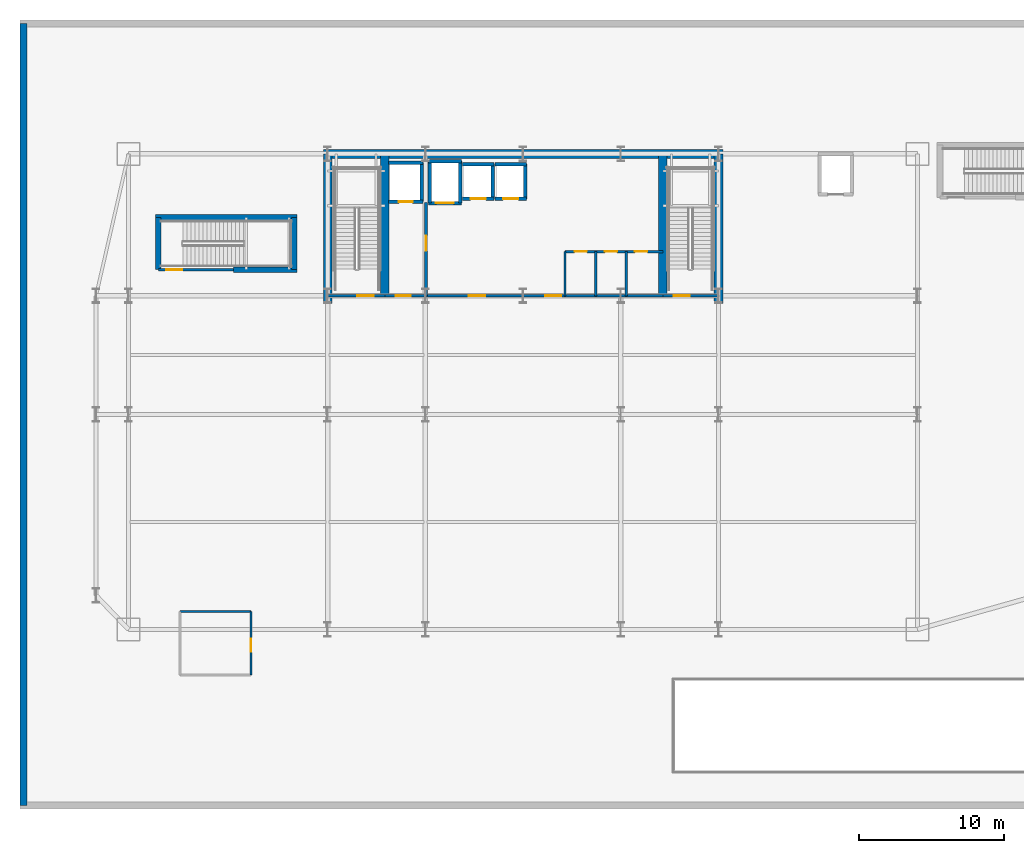
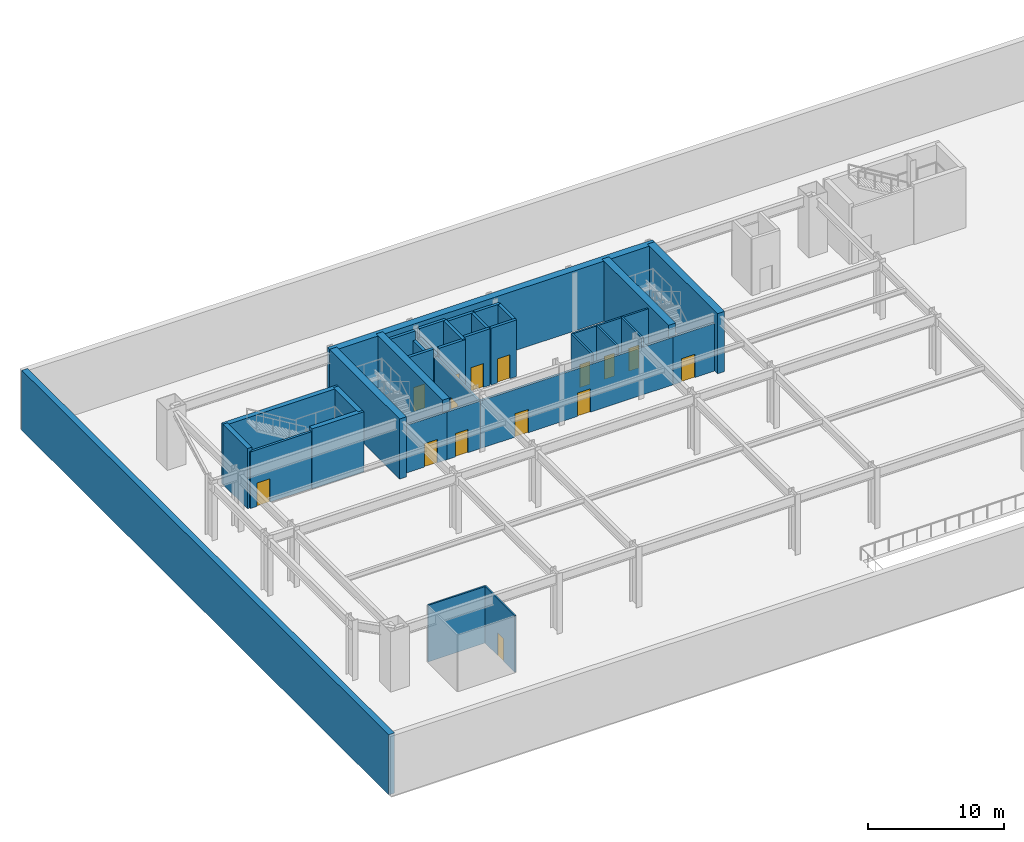
# One storey, part 5 of 16: 35 walls, 15 doors, 15 openings.
"""IFC4 building model written with IfcOpenShell, lengths in metres."""

from ifc_helpers import new_model, si_unit, direction, frame, frame_2d, origin, place, context, subcontext, project, spatial, rectangle, extrude, material, layer, layer_set, type_object, element, fill, save


model = new_model("IFC4")

# Units and contexts
model_context = context("Model", 3, precision=1e-05, world=origin(), true_north=direction((0.0, 1.0)))
body_context = subcontext(model_context, "Body", "Model", "MODEL_VIEW")
ifc_project = project(units=[si_unit("LENGTHUNIT", "METRE"), si_unit("AREAUNIT", "SQUARE_METRE"), si_unit("VOLUMEUNIT", "CUBIC_METRE"), si_unit("PLANEANGLEUNIT", "RADIAN"), si_unit("MASSUNIT", "GRAM", prefix="KILO")], contexts=[model_context])

# Site, building, storey
site_placement = place(None, origin())
site = spatial("IfcSite", under=ifc_project, at=site_placement, CompositionType="ELEMENT")
building_placement = place(site_placement, origin())
building = spatial("IfcBuilding", under=site, at=building_placement, Name="Haevon Station Towers", CompositionType="ELEMENT")
storey_placement = place(building_placement, frame((0.0, 0.0, -5.39990234375)))
storey = spatial("IfcBuildingStorey", under=building, at=storey_placement, Name="B01", CompositionType="ELEMENT", Elevation=-5.39990234375)

# Wall, opening, door
ifc_material_1 = material(Name="Gypsum board on steel stud", Category="steel")
ifc_layer_1 = layer(ifc_material_1, 0.199951171875)
ifc_layer_set_1 = layer_set([ifc_layer_1], Name="Gypsum board on steel stud")
wall_type_1 = type_object("IfcWallType", Name="WL-COR200", PredefinedType="PARTITIONING", material=ifc_layer_set_1)
wall_1_placement = place(storey_placement, frame((24.0, 38.199951171875, 0.0), z_axis=(0.0, 0.0, 1.0), x_axis=(1.0, 0.0, 0.0)))
wall_1 = element("IfcWall", 1, at=wall_1_placement, inside=storey, type_object=wall_type_1, Name="WL-ST-ST1-B01", PredefinedType="PARTITIONING", context=body_context, shape_type="SweptSolid", body=[
    extrude(rectangle(XDim=3.949951171875, YDim=0.199951171875, at=frame_2d((1.97509765625, 0.0))), origin(), (0.0, 0.0, 1.0), 4.27978515625),
])
opening_1_placement = place(wall_1_placement, frame((2.050048828125, 0.0, 0.0)))
opening_1 = element("IfcOpeningElement", 2, at=opening_1_placement, cuts=wall_1, Name="Opening DR-ST-ST1-B01", PredefinedType="OPENING", context=body_context, shape_type="SweptSolid", body=[
    extrude(rectangle(XDim=1.1201171875, YDim=2.10009765625, at=frame_2d((0.56005859375, 1.050048828125))), frame((0.0, 0.10986328125, 0.0), z_axis=(0.0, -1.0, 0.0), x_axis=(1.0, 0.0, 0.0)), (0.0, 0.0, 1.0), 0.219970703125),
])
ifc_material_2 = material(Name="Engineered oak timber", Category="wood")
door_type_1 = type_object("IfcDoorType", Name="DR-ST-1120", OperationType="NOTDEFINED", PredefinedType="DOOR", material=ifc_material_2)
door_1_placement = place(opening_1_placement, origin())
door_1 = element("IfcDoor", 3, at=door_1_placement, inside=storey, type_object=door_type_1, Name="B01 Escape Stair ST1 Fire Door", OperationType="SINGLE_SWING_RIGHT", OverallHeight=2.10009765625, OverallWidth=1.1201171875, PredefinedType="DOOR", context=body_context, shape_type="SweptSolid", body=[
    extrude(rectangle(XDim=1.1201171875, YDim=2.10009765625, at=frame_2d((0.56005859375, 1.050048828125))), frame((0.0, 0.02490234375, 0.0), z_axis=(0.0, -1.0, 0.0), x_axis=(1.0, 0.0, 0.0)), (0.0, 0.0, 1.0), 0.050048828125),
])
fill(opening_1, door_1)

wall_2_placement = place(storey_placement, frame((47.14990234375, 38.199951171875, 0.0), z_axis=(0.0, 0.0, 1.0), x_axis=(1.0, 0.0, 0.0)))
wall_2 = element("IfcWall", 4, at=wall_2_placement, inside=storey, type_object=wall_type_1, Name="WL-ST-ST2-B01", PredefinedType="PARTITIONING", context=body_context, shape_type="SweptSolid", body=[
    extrude(rectangle(XDim=3.85009765625, YDim=0.199951171875, at=frame_2d((1.925048828125, 0.0))), origin(), (0.0, 0.0, 1.0), 4.27978515625),
])
opening_2_placement = place(wall_2_placement, frame((0.75, 0.0, 0.0)))
opening_2 = element("IfcOpeningElement", 5, at=opening_2_placement, cuts=wall_2, Name="Opening DR-ST-ST2-B01", PredefinedType="OPENING", context=body_context, shape_type="SweptSolid", body=[
    extrude(rectangle(XDim=1.1201171875, YDim=2.10009765625, at=frame_2d((0.56005859375, 1.050048828125))), frame((0.0, 0.10986328125, 0.0), z_axis=(0.0, -1.0, 0.0), x_axis=(1.0, 0.0, 0.0)), (0.0, 0.0, 1.0), 0.219970703125),
])
door_2_placement = place(opening_2_placement, origin())
door_2 = element("IfcDoor", 6, at=door_2_placement, inside=storey, type_object=door_type_1, Name="B01 Escape Stair ST2 Fire Door", OperationType="SINGLE_SWING_LEFT", OverallHeight=2.10009765625, OverallWidth=1.1201171875, PredefinedType="DOOR", context=body_context, shape_type="SweptSolid", body=[
    extrude(rectangle(XDim=1.1201171875, YDim=2.10009765625, at=frame_2d((0.56005859375, 1.050048828125))), frame((0.0, 0.02490234375, 0.0), z_axis=(0.0, -1.0, 0.0), x_axis=(1.0, 0.0, 0.0)), (0.0, 0.0, 1.0), 0.050048828125),
])
fill(opening_2, door_2)

wall_3_placement = place(storey_placement, frame((30.800048828125, 38.199951171875, 0.0), z_axis=(0.0, 0.0, 1.0), x_axis=(0.0, 1.0, 0.0)))
wall_3 = element("IfcWall", 7, at=wall_3_placement, inside=storey, type_object=wall_type_1, Name="WL-T1FFL-B01-E", PredefinedType="PARTITIONING", context=body_context, shape_type="SweptSolid", body=[
    extrude(rectangle(XDim=6.449951171875, YDim=0.199951171875, at=frame_2d((3.22509765625, 0.0))), origin(), (0.0, 0.0, 1.0), 4.27978515625),
])
opening_3_placement = place(wall_3_placement, frame((3.10009765625, 0.0, 0.0)))
opening_3 = element("IfcOpeningElement", 8, at=opening_3_placement, cuts=wall_3, Name="Opening DR-T1FFL-B01-E", PredefinedType="OPENING", context=body_context, shape_type="SweptSolid", body=[
    extrude(rectangle(XDim=1.050048828125, YDim=2.10009765625, at=frame_2d((0.52490234375, 1.050048828125))), frame((0.0, 0.10986328125, 0.0), z_axis=(0.0, -1.0, 0.0), x_axis=(1.0, 0.0, 0.0)), (0.0, 0.0, 1.0), 0.219970703125),
])
door_type_2 = type_object("IfcDoorType", Name="DR-FD60-1050", OperationType="NOTDEFINED", PredefinedType="DOOR", material=ifc_material_2)
door_3_placement = place(opening_3_placement, origin())
door_3 = element("IfcDoor", 9, at=door_3_placement, inside=storey, type_object=door_type_2, Name="B01 Tower 1 Firefighting Lift Lobby Door E", OperationType="SINGLE_SWING_RIGHT", OverallHeight=2.10009765625, OverallWidth=1.050048828125, PredefinedType="DOOR", context=body_context, shape_type="SweptSolid", body=[
    extrude(rectangle(XDim=1.050048828125, YDim=2.10009765625, at=frame_2d((0.52490234375, 1.050048828125))), frame((0.0, 0.02490234375, 0.0), z_axis=(0.0, -1.0, 0.0), x_axis=(1.0, 0.0, 0.0)), (0.0, 0.0, 1.0), 0.050048828125),
])
fill(opening_3, door_3)

wall_4_placement = place(storey_placement, frame((27.949951171875, 38.199951171875, 0.0), z_axis=(0.0, 0.0, 1.0), x_axis=(1.0, 0.0, 0.0)))
wall_4 = element("IfcWall", 10, at=wall_4_placement, inside=storey, type_object=wall_type_1, Name="WL-T1FFL-B01-S", PredefinedType="PARTITIONING", context=body_context, shape_type="SweptSolid", body=[
    extrude(rectangle(XDim=2.85009765625, YDim=0.199951171875, at=frame_2d((1.425048828125, 0.0))), origin(), (0.0, 0.0, 1.0), 4.27978515625),
])
opening_4_placement = place(wall_4_placement, frame((0.75, 0.0, 0.0)))
opening_4 = element("IfcOpeningElement", 11, at=opening_4_placement, cuts=wall_4, Name="Opening DR-T1FFL-B01-S", PredefinedType="OPENING", context=body_context, shape_type="SweptSolid", body=[
    extrude(rectangle(XDim=1.050048828125, YDim=2.10009765625, at=frame_2d((0.52490234375, 1.050048828125))), frame((0.0, 0.10986328125, 0.0), z_axis=(0.0, -1.0, 0.0), x_axis=(1.0, 0.0, 0.0)), (0.0, 0.0, 1.0), 0.219970703125),
])
door_4_placement = place(opening_4_placement, origin())
door_4 = element("IfcDoor", 12, at=door_4_placement, inside=storey, type_object=door_type_2, Name="B01 Tower 1 Firefighting Lift Lobby Door S", OperationType="SINGLE_SWING_LEFT", OverallHeight=2.10009765625, OverallWidth=1.050048828125, PredefinedType="DOOR", context=body_context, shape_type="SweptSolid", body=[
    extrude(rectangle(XDim=1.050048828125, YDim=2.10009765625, at=frame_2d((0.52490234375, 1.050048828125))), frame((0.0, 0.02490234375, 0.0), z_axis=(0.0, -1.0, 0.0), x_axis=(1.0, 0.0, 0.0)), (0.0, 0.0, 1.0), 0.050048828125),
])
fill(opening_4, door_4)

# Wall, openings, doors
wall_5_placement = place(storey_placement, frame((30.800048828125, 38.199951171875, 0.0), z_axis=(0.0, 0.0, 1.0), x_axis=(1.0, 0.0, 0.0)))
wall_5 = element("IfcWall", 13, at=wall_5_placement, inside=storey, type_object=wall_type_1, Name="WL-T1CLB-B01", PredefinedType="PARTITIONING", context=body_context, shape_type="SweptSolid", body=[
    extrude(rectangle(XDim=16.349853515625, YDim=0.199951171875, at=frame_2d((8.1748046875, 0.0))), origin(), (0.0, 0.0, 1.0), 4.27978515625),
])
opening_5_placement = place(wall_5_placement, frame((2.949951171875, 0.0, 0.0)))
opening_5 = element("IfcOpeningElement", 14, at=opening_5_placement, cuts=wall_5, Name="Opening DR-T1CLB-B01-1", PredefinedType="OPENING", context=body_context, shape_type="SweptSolid", body=[
    extrude(rectangle(XDim=1.1201171875, YDim=2.10009765625, at=frame_2d((0.56005859375, 1.050048828125))), frame((0.0, 0.10986328125, 0.0), z_axis=(0.0, -1.0, 0.0), x_axis=(1.0, 0.0, 0.0)), (0.0, 0.0, 1.0), 0.219970703125),
])
opening_6_placement = place(wall_5_placement, frame((8.22998046875, 0.0, 0.0)))
opening_6 = element("IfcOpeningElement", 15, at=opening_6_placement, cuts=wall_5, Name="Opening DR-T1CLB-B01-2", PredefinedType="OPENING", context=body_context, shape_type="SweptSolid", body=[
    extrude(rectangle(XDim=1.1201171875, YDim=2.10009765625, at=frame_2d((0.56005859375, 1.050048828125))), frame((0.0, 0.10986328125, 0.0), z_axis=(0.0, -1.0, 0.0), x_axis=(1.0, 0.0, 0.0)), (0.0, 0.0, 1.0), 0.219970703125),
])
door_5_placement = place(opening_5_placement, origin())
door_5 = element("IfcDoor", 16, at=door_5_placement, inside=storey, type_object=door_type_1, Name="B01 Tower 1 Core Lift Lobby Door 1", OperationType="SINGLE_SWING_RIGHT", OverallHeight=2.10009765625, OverallWidth=1.1201171875, PredefinedType="DOOR", context=body_context, shape_type="SweptSolid", body=[
    extrude(rectangle(XDim=1.1201171875, YDim=2.10009765625, at=frame_2d((0.56005859375, 1.050048828125))), frame((0.0, 0.02490234375, 0.0), z_axis=(0.0, -1.0, 0.0), x_axis=(1.0, 0.0, 0.0)), (0.0, 0.0, 1.0), 0.050048828125),
])
fill(opening_5, door_5)
door_6_placement = place(opening_6_placement, origin())
door_6 = element("IfcDoor", 17, at=door_6_placement, inside=storey, type_object=door_type_1, Name="B01 Tower 1 Core Lift Lobby Door 2", OperationType="SINGLE_SWING_LEFT", OverallHeight=2.10009765625, OverallWidth=1.1201171875, PredefinedType="DOOR", context=body_context, shape_type="SweptSolid", body=[
    extrude(rectangle(XDim=1.1201171875, YDim=2.10009765625, at=frame_2d((0.56005859375, 1.050048828125))), frame((0.0, 0.02490234375, 0.0), z_axis=(0.0, -1.0, 0.0), x_axis=(1.0, 0.0, 0.0)), (0.0, 0.0, 1.0), 0.050048828125),
])
fill(opening_6, door_6)

# Wall, opening, door
wall_6_placement = place(storey_placement, frame((12.300048828125, 40.0, 0.0), z_axis=(0.0, 0.0, 1.0), x_axis=(1.0, 0.0, 0.0)))
wall_6 = element("IfcWall", 18, at=wall_6_placement, inside=storey, type_object=wall_type_1, Name="WL-ST-ST5-B01-S", PredefinedType="PARTITIONING", context=body_context, shape_type="SweptSolid", body=[
    extrude(rectangle(XDim=5.199951171875, YDim=0.199951171875, at=frame_2d((2.60009765625, 0.0))), origin(), (0.0, 0.0, 1.0), 5.079833984375),
])
opening_7_placement = place(wall_6_placement, frame((0.550048828125, 0.0, 0.0)))
opening_7 = element("IfcOpeningElement", 19, at=opening_7_placement, cuts=wall_6, Name="Opening DR-ST-ST5-B01", PredefinedType="OPENING", context=body_context, shape_type="SweptSolid", body=[
    extrude(rectangle(XDim=1.1201171875, YDim=2.10009765625, at=frame_2d((0.56005859375, 1.050048828125))), frame((0.0, 0.10986328125, 0.0), z_axis=(0.0, -1.0, 0.0), x_axis=(1.0, 0.0, 0.0)), (0.0, 0.0, 1.0), 0.219970703125),
])
door_7_placement = place(opening_7_placement, origin())
door_7 = element("IfcDoor", 20, at=door_7_placement, inside=storey, type_object=door_type_1, Name="B01 Station Escape Stair ST5 Fire Door", OperationType="SINGLE_SWING_LEFT", OverallHeight=2.10009765625, OverallWidth=1.1201171875, PredefinedType="DOOR", context=body_context, shape_type="SweptSolid", body=[
    extrude(rectangle(XDim=1.1201171875, YDim=2.10009765625, at=frame_2d((0.56005859375, 1.050048828125))), frame((0.0, 0.02490234375, 0.0), z_axis=(0.0, -1.0, 0.0), x_axis=(1.0, 0.0, 0.0)), (0.0, 0.0, 1.0), 0.050048828125),
])
fill(opening_7, door_7)

# Walls
ifc_material_3 = material(Name="Concrete C60/75", Category="concrete")
ifc_layer_2 = layer(ifc_material_3, 0.39990234375)
ifc_layer_set_2 = layer_set([ifc_layer_2], Name="Concrete C60/75")
wall_type_2 = type_object("IfcWallType", Name="WL-CR400", PredefinedType="SHEAR", material=ifc_layer_set_2)
wall_7_placement = place(storey_placement, frame((12.10009765625, 43.60009765625, 0.0), z_axis=(0.0, 0.0, 1.0), x_axis=(1.0, 0.0, 0.0)))
element("IfcWall", 21, at=wall_7_placement, inside=storey, type_object=wall_type_2, Name="WL-ST5CR-B01-N", PredefinedType="SHEAR", context=body_context, shape_type="SweptSolid", body=[
    extrude(rectangle(XDim=9.7998046875, YDim=0.39990234375, at=frame_2d((4.89990234375, 0.0))), origin(), (0.0, 0.0, 1.0), 5.39990234375),
])
for number, where, z_axis, x_axis, name in (
    (22, (12.300048828125, 40.0, 0.0), (0.0, 0.0, 1.0), (0.0, 1.0, 0.0), "WL-ST5CR-B01-W"),
    (23, (21.699951171875, 40.0, 0.0), (0.0, 0.0, 1.0), (0.0, 1.0, 0.0), "WL-ST5CR-B01-E"),
):
    element("IfcWall", number, at=place(storey_placement, frame(where, z_axis=z_axis, x_axis=x_axis)), inside=storey, type_object=wall_type_2, Name=name, PredefinedType="SHEAR", context=body_context, shape_type="SweptSolid", body=[
        extrude(rectangle(XDim=3.60009765625, YDim=0.39990234375, at=frame_2d((1.800048828125, 0.0))), origin(), (0.0, 0.0, 1.0), 5.39990234375),
    ])
wall_8_placement = place(storey_placement, frame((17.5, 40.0, 0.0), z_axis=(0.0, 0.0, 1.0), x_axis=(1.0, 0.0, 0.0)))
element("IfcWall", 24, at=wall_8_placement, inside=storey, type_object=wall_type_2, Name="WL-ST5CR-B01-S2", PredefinedType="SHEAR", context=body_context, shape_type="SweptSolid", body=[
    extrude(rectangle(XDim=4.39990234375, YDim=0.39990234375, at=frame_2d((2.199951171875, 0.0))), origin(), (0.0, 0.0, 1.0), 5.39990234375),
])
ifc_layer_3 = layer(ifc_material_3, 0.60009765625)
ifc_layer_set_3 = layer_set([ifc_layer_3], Name="Concrete C60/75")
wall_type_3 = type_object("IfcWallType", Name="WL-CR600", PredefinedType="SHEAR", material=ifc_layer_set_3)
wall_9_placement = place(storey_placement, frame((23.699951171875, 48.0, 0.0), z_axis=(0.0, 0.0, 1.0), x_axis=(1.0, 0.0, 0.0)))
element("IfcWall", 25, at=wall_9_placement, inside=storey, type_object=wall_type_3, Name="WL-T1CR-B01-N", PredefinedType="SHEAR", context=body_context, shape_type="SweptSolid", body=[
    extrude(rectangle(XDim=27.60009765625, YDim=0.60009765625, at=frame_2d((13.800048828125, 0.0))), origin(), (0.0, 0.0, 1.0), 5.39990234375),
])
for number, where, z_axis, x_axis, name in (
    (26, (24.0, 37.679931640625, 0.0), (0.0, 0.0, 1.0), (0.0, 1.0, 0.0), "WL-T1CR-B01-W"),
    (27, (51.0, 37.679931640625, 0.0), (0.0, 0.0, 1.0), (0.0, 1.0, 0.0), "WL-T1CR-B01-E"),
):
    element("IfcWall", number, at=place(storey_placement, frame(where, z_axis=z_axis, x_axis=x_axis)), inside=storey, type_object=wall_type_3, Name=name, PredefinedType="SHEAR", context=body_context, shape_type="SweptSolid", body=[
        extrude(rectangle(XDim=10.320068359375, YDim=0.60009765625, at=frame_2d((5.16015625, 0.0))), origin(), (0.0, 0.0, 1.0), 5.39990234375),
    ])
for number, where, z_axis, x_axis, name in (
    (28, (27.949951171875, 38.199951171875, 0.0), (0.0, 0.0, 1.0), (0.0, 1.0, 0.0), "WL-T1CR-B01-M1"),
    (29, (47.14990234375, 38.199951171875, 0.0), (0.0, 0.0, 1.0), (0.0, 1.0, 0.0), "WL-T1CR-B01-M2"),
):
    element("IfcWall", number, at=place(storey_placement, frame(where, z_axis=z_axis, x_axis=x_axis)), inside=storey, type_object=wall_type_3, Name=name, PredefinedType="SHEAR", context=body_context, shape_type="SweptSolid", body=[
        extrude(rectangle(XDim=9.800048828125, YDim=0.60009765625, at=frame_2d((4.89990234375, 0.0))), origin(), (0.0, 0.0, 1.0), 5.39990234375),
    ])

# Wall, opening, door
ifc_layer_4 = layer(ifc_material_1, 0.139892578125)
ifc_layer_set_4 = layer_set([ifc_layer_4], Name="Gypsum board on steel stud")
wall_type_4 = type_object("IfcWallType", Name="WL-PRT140", PredefinedType="PARTITIONING", material=ifc_layer_set_4)
wall_10_placement = place(storey_placement, frame((18.699951171875, 12.0, 0.0), z_axis=(0.0, 0.0, 1.0), x_axis=(0.0, 1.0, 0.0)))
wall_10 = element("IfcWall", 30, at=wall_10_placement, inside=storey, type_object=wall_type_4, Name="WL-B01-WCE", PredefinedType="PARTITIONING", context=body_context, shape_type="SweptSolid", body=[
    extrude(rectangle(XDim=4.39990234375, YDim=0.139892578125, at=frame_2d((2.199951171875, 0.0))), origin(), (0.0, 0.0, 1.0), 5.079833984375),
])
opening_8_placement = place(wall_10_placement, frame((1.60009765625, 0.0, 0.0)))
opening_8 = element("IfcOpeningElement", 31, at=opening_8_placement, cuts=wall_10, Name="Opening DR-WL-B01-WCE-1", PredefinedType="OPENING", context=body_context, shape_type="SweptSolid", body=[
    extrude(rectangle(XDim=0.89990234375, YDim=2.050048828125, at=frame_2d((0.449951171875, 1.02490234375))), frame((0.0, 0.079833984375, 0.0), z_axis=(0.0, -1.0, 0.0), x_axis=(1.0, 0.0, 0.0)), (0.0, 0.0, 1.0), 0.159912109375),
])
door_type_3 = type_object("IfcDoorType", Name="DR-INT-900", OperationType="NOTDEFINED", PredefinedType="DOOR", material=ifc_material_2)
door_8_placement = place(opening_8_placement, origin())
door_8 = element("IfcDoor", 32, at=door_8_placement, inside=storey, type_object=door_type_3, Name="B01 Interior Door WL-B01-WCE-1", OperationType="SINGLE_SWING_LEFT", OverallHeight=2.050048828125, OverallWidth=0.89990234375, PredefinedType="DOOR", context=body_context, shape_type="SweptSolid", body=[
    extrude(rectangle(XDim=0.89990234375, YDim=2.050048828125, at=frame_2d((0.449951171875, 1.02490234375))), frame((0.0, 0.02490234375, 0.0), z_axis=(0.0, -1.0, 0.0), x_axis=(1.0, 0.0, 0.0)), (0.0, 0.0, 1.0), 0.050048828125),
])
fill(opening_8, door_8)

# Walls
wall_11_placement = place(storey_placement, frame((13.800048828125, 16.39990234375, 0.0), z_axis=(0.0, 0.0, 1.0), x_axis=(1.0, 0.0, 0.0)))
element("IfcWall", 33, at=wall_11_placement, inside=storey, type_object=wall_type_4, Name="WL-B01-WCN", PredefinedType="PARTITIONING", context=body_context, shape_type="SweptSolid", body=[
    extrude(rectangle(XDim=4.89990234375, YDim=0.139892578125, at=frame_2d((2.449951171875, 0.0))), origin(), (0.0, 0.0, 1.0), 5.079833984375),
])
ifc_layer_5 = layer(ifc_material_1, 0.159912109375)
ifc_layer_set_5 = layer_set([ifc_layer_5], Name="Gypsum board on steel stud")
wall_type_5 = type_object("IfcWallType", Name="WL-PRT160", PredefinedType="PARTITIONING", material=ifc_layer_set_5)
for number, where, z_axis, x_axis, name in (
    (34, (40.39990234375, 38.199951171875, 0.0), (0.0, 0.0, 1.0), (0.0, 1.0, 0.0), "WL-T1CW-B01-01"),
    (35, (42.530029296875, 38.199951171875, 0.0), (0.0, 0.0, 1.0), (0.0, 1.0, 0.0), "WL-T1CW-B01-02"),
    (36, (44.6298828125, 38.199951171875, 0.0), (0.0, 0.0, 1.0), (0.0, 1.0, 0.0), "WL-T1CW-B01-03"),
):
    element("IfcWall", number, at=place(storey_placement, frame(where, z_axis=z_axis, x_axis=x_axis)), inside=storey, type_object=wall_type_5, Name=name, PredefinedType="PARTITIONING", context=body_context, shape_type="SweptSolid", body=[
        extrude(rectangle(XDim=3.050048828125, YDim=0.159912109375, at=frame_2d((1.52490234375, 0.0))), origin(), (0.0, 0.0, 1.0), 5.079833984375),
    ])

# Wall, openings, doors
wall_12_placement = place(storey_placement, frame((40.39990234375, 41.25, 0.0), z_axis=(0.0, 0.0, 1.0), x_axis=(1.0, 0.0, 0.0)))
wall_12 = element("IfcWall", 37, at=wall_12_placement, inside=storey, type_object=wall_type_5, Name="WL-T1CW-B01-04", PredefinedType="PARTITIONING", context=body_context, shape_type="SweptSolid", body=[
    extrude(rectangle(XDim=6.75, YDim=0.159912109375, at=frame_2d((3.375, 0.0))), origin(), (0.0, 0.0, 1.0), 5.079833984375),
])
opening_9_placement = place(wall_12_placement, frame((0.659912109375, 0.0, 0.0)))
opening_9 = element("IfcOpeningElement", 38, at=opening_9_placement, cuts=wall_12, Name="Opening DR-WL-T1CW-B01-04-1", PredefinedType="OPENING", context=body_context, shape_type="SweptSolid", body=[
    extrude(rectangle(XDim=0.85009765625, YDim=2.050048828125, at=frame_2d((0.425048828125, 1.02490234375))), frame((0.0, 0.08984375, 0.0), z_axis=(0.0, -1.0, 0.0), x_axis=(1.0, 0.0, 0.0)), (0.0, 0.0, 1.0), 0.179931640625),
])
opening_10_placement = place(wall_12_placement, frame((2.7548828125, 0.0, 0.0)))
opening_10 = element("IfcOpeningElement", 39, at=opening_10_placement, cuts=wall_12, Name="Opening DR-WL-T1CW-B01-04-2", PredefinedType="OPENING", context=body_context, shape_type="SweptSolid", body=[
    extrude(rectangle(XDim=0.85009765625, YDim=2.050048828125, at=frame_2d((0.425048828125, 1.02490234375))), frame((0.0, 0.08984375, 0.0), z_axis=(0.0, -1.0, 0.0), x_axis=(1.0, 0.0, 0.0)), (0.0, 0.0, 1.0), 0.179931640625),
])
opening_11_placement = place(wall_12_placement, frame((4.830078125, 0.0, 0.0)))
opening_11 = element("IfcOpeningElement", 40, at=opening_11_placement, cuts=wall_12, Name="Opening DR-WL-T1CW-B01-04-3", PredefinedType="OPENING", context=body_context, shape_type="SweptSolid", body=[
    extrude(rectangle(XDim=0.85009765625, YDim=2.050048828125, at=frame_2d((0.425048828125, 1.02490234375))), frame((0.0, 0.08984375, 0.0), z_axis=(0.0, -1.0, 0.0), x_axis=(1.0, 0.0, 0.0)), (0.0, 0.0, 1.0), 0.179931640625),
])
door_type_4 = type_object("IfcDoorType", Name="DR-FD30-850", OperationType="NOTDEFINED", PredefinedType="DOOR", material=ifc_material_2)
door_9_placement = place(opening_9_placement, origin())
door_9 = element("IfcDoor", 41, at=door_9_placement, inside=storey, type_object=door_type_4, Name="B01 Tower 1 Core Room Door 4-1", OperationType="SINGLE_SWING_RIGHT", OverallHeight=2.050048828125, OverallWidth=0.85009765625, PredefinedType="DOOR", context=body_context, shape_type="SweptSolid", body=[
    extrude(rectangle(XDim=0.85009765625, YDim=2.050048828125, at=frame_2d((0.425048828125, 1.02490234375))), frame((0.0, 0.02490234375, 0.0), z_axis=(0.0, -1.0, 0.0), x_axis=(1.0, 0.0, 0.0)), (0.0, 0.0, 1.0), 0.050048828125),
])
fill(opening_9, door_9)
door_10_placement = place(opening_10_placement, origin())
door_10 = element("IfcDoor", 42, at=door_10_placement, inside=storey, type_object=door_type_4, Name="B01 Tower 1 Core Room Door 4-2", OperationType="SINGLE_SWING_LEFT", OverallHeight=2.050048828125, OverallWidth=0.85009765625, PredefinedType="DOOR", context=body_context, shape_type="SweptSolid", body=[
    extrude(rectangle(XDim=0.85009765625, YDim=2.050048828125, at=frame_2d((0.425048828125, 1.02490234375))), frame((0.0, 0.02490234375, 0.0), z_axis=(0.0, -1.0, 0.0), x_axis=(1.0, 0.0, 0.0)), (0.0, 0.0, 1.0), 0.050048828125),
])
fill(opening_10, door_10)
door_11_placement = place(opening_11_placement, origin())
door_11 = element("IfcDoor", 43, at=door_11_placement, inside=storey, type_object=door_type_4, Name="B01 Tower 1 Core Room Door 4-3", OperationType="SINGLE_SWING_RIGHT", OverallHeight=2.050048828125, OverallWidth=0.85009765625, PredefinedType="DOOR", context=body_context, shape_type="SweptSolid", body=[
    extrude(rectangle(XDim=0.85009765625, YDim=2.050048828125, at=frame_2d((0.425048828125, 1.02490234375))), frame((0.0, 0.02490234375, 0.0), z_axis=(0.0, -1.0, 0.0), x_axis=(1.0, 0.0, 0.0)), (0.0, 0.0, 1.0), 0.050048828125),
])
fill(opening_11, door_11)

# Wall
ifc_material_4 = material(Name="Concrete C50/60", Category="concrete")
ifc_layer_6 = layer(ifc_material_4, 0.5)
ifc_layer_set_6 = layer_set([ifc_layer_6], Name="Concrete C50/60")
wall_type_6 = type_object("IfcWallType", Name="WL-RET500", PredefinedType="SOLIDWALL", material=ifc_layer_set_6)
wall_13_placement = place(storey_placement, frame((3.0, 3.0, 0.0), z_axis=(0.0, 0.0, 1.0), x_axis=(0.0, 1.0, 0.0)))
element("IfcWall", 44, at=wall_13_placement, inside=storey, type_object=wall_type_6, Name="WL-RET-B01-W", PredefinedType="SOLIDWALL", context=body_context, shape_type="SweptSolid", body=[
    extrude(rectangle(XDim=54.0, YDim=0.5, at=frame_2d((27.0, 0.0))), origin(), (0.0, 0.0, 1.0), 5.39990234375),
])

# Wall, opening, door
ifc_material_5 = material(Name="Concrete C40/50", Category="concrete")
ifc_layer_7 = layer(ifc_material_5, 0.239990234375)
ifc_layer_set_7 = layer_set([ifc_layer_7], Name="Concrete C40/50")
wall_type_7 = type_object("IfcWallType", Name="WL-SHF240", PredefinedType="PARTITIONING", material=ifc_layer_set_7)
wall_14_placement = place(storey_placement, frame((28.219970703125, 44.699951171875, 0.0), z_axis=(0.0, 0.0, 1.0), x_axis=(1.0, 0.0, 0.0)))
wall_14 = element("IfcWall", 45, at=wall_14_placement, inside=storey, type_object=wall_type_7, Name="WL-SHF-FL1-B01", PredefinedType="PARTITIONING", context=body_context, shape_type="SweptSolid", body=[
    extrude(rectangle(XDim=2.360107421875, YDim=0.239990234375, at=frame_2d((1.18017578125, 0.0))), origin(), (0.0, 0.0, 1.0), 5.079833984375),
])
opening_12_placement = place(wall_14_placement, frame((0.705078125, 0.0, 0.0)))
opening_12 = element("IfcOpeningElement", 46, at=opening_12_placement, cuts=wall_14, Name="Opening LD-FL1-B01", PredefinedType="OPENING", context=body_context, shape_type="SweptSolid", body=[
    extrude(rectangle(XDim=0.949951171875, YDim=2.14990234375, at=frame_2d((0.47509765625, 1.074951171875))), frame((0.0, 0.1298828125, 0.0), z_axis=(0.0, -1.0, 0.0), x_axis=(1.0, 0.0, 0.0)), (0.0, 0.0, 1.0), 0.260009765625),
])
ifc_material_6 = material(Name="Stainless steel and rated core", Category="steel")
door_type_5 = type_object("IfcDoorType", Name="LD-FL950", OperationType="SLIDING_TO_LEFT", PredefinedType="DOOR", material=ifc_material_6)
door_12_placement = place(opening_12_placement, origin())
door_12 = element("IfcDoor", 47, at=door_12_placement, inside=storey, type_object=door_type_5, Name="B01 Lift FL1 Sliding Landing Door", OperationType="SLIDING_TO_LEFT", OverallHeight=2.14990234375, OverallWidth=0.949951171875, PredefinedType="DOOR", context=body_context, shape_type="SweptSolid", body=[
    extrude(rectangle(XDim=0.949951171875, YDim=2.14990234375, at=frame_2d((0.47509765625, 1.074951171875))), frame((0.0, 0.02490234375, 0.0), z_axis=(0.0, -1.0, 0.0), x_axis=(1.0, 0.0, 0.0)), (0.0, 0.0, 1.0), 0.050048828125),
])
fill(opening_12, door_12)

# Walls
wall_15_placement = place(storey_placement, frame((28.219970703125, 47.39990234375, 0.0), z_axis=(0.0, 0.0, 1.0), x_axis=(1.0, 0.0, 0.0)))
element("IfcWall", 48, at=wall_15_placement, inside=storey, type_object=wall_type_7, Name="WL-SHF-FL1-B01-N", PredefinedType="PARTITIONING", context=body_context, shape_type="SweptSolid", body=[
    extrude(rectangle(XDim=2.360107421875, YDim=0.239990234375, at=frame_2d((1.18017578125, 0.0))), origin(), (0.0, 0.0, 1.0), 5.079833984375),
])
wall_16_placement = place(storey_placement, frame((30.5, 44.699951171875, 0.0), z_axis=(0.0, 0.0, 1.0), x_axis=(0.0, 1.0, 0.0)))
element("IfcWall", 49, at=wall_16_placement, inside=storey, type_object=wall_type_7, Name="WL-SHF-FL1-B01-E", PredefinedType="PARTITIONING", context=body_context, shape_type="SweptSolid", body=[
    extrude(rectangle(XDim=2.699951171875, YDim=0.239990234375, at=frame_2d((1.35009765625, 0.0))), origin(), (0.0, 0.0, 1.0), 4.27978515625),
])

# Wall, opening, door
wall_17_placement = place(storey_placement, frame((30.969970703125, 44.60009765625, 0.0), z_axis=(0.0, 0.0, 1.0), x_axis=(1.0, 0.0, 0.0)))
wall_17 = element("IfcWall", 50, at=wall_17_placement, inside=storey, type_object=wall_type_7, Name="WL-SHF-SL1-B01", PredefinedType="PARTITIONING", context=body_context, shape_type="SweptSolid", body=[
    extrude(rectangle(XDim=2.260009765625, YDim=0.239990234375, at=frame_2d((1.1298828125, 0.0))), origin(), (0.0, 0.0, 1.0), 5.079833984375),
])
opening_13_placement = place(wall_17_placement, frame((0.5048828125, 0.0, 0.0)))
opening_13 = element("IfcOpeningElement", 51, at=opening_13_placement, cuts=wall_17, Name="Opening LD-SL1-B01", PredefinedType="OPENING", context=body_context, shape_type="SweptSolid", body=[
    extrude(rectangle(XDim=1.25, YDim=2.199951171875, at=frame_2d((0.625, 1.10009765625))), frame((0.0, 0.1298828125, 0.0), z_axis=(0.0, -1.0, 0.0), x_axis=(1.0, 0.0, 0.0)), (0.0, 0.0, 1.0), 0.260009765625),
])
door_type_6 = type_object("IfcDoorType", Name="LD-SL1250", OperationType="SLIDING_TO_LEFT", PredefinedType="DOOR", material=ifc_material_6)
door_13_placement = place(opening_13_placement, origin())
door_13 = element("IfcDoor", 52, at=door_13_placement, inside=storey, type_object=door_type_6, Name="B01 Lift SL1 Sliding Landing Door", OperationType="SLIDING_TO_LEFT", OverallHeight=2.199951171875, OverallWidth=1.25, PredefinedType="DOOR", context=body_context, shape_type="SweptSolid", body=[
    extrude(rectangle(XDim=1.25, YDim=2.199951171875, at=frame_2d((0.625, 1.10009765625))), frame((0.0, 0.02490234375, 0.0), z_axis=(0.0, -1.0, 0.0), x_axis=(1.0, 0.0, 0.0)), (0.0, 0.0, 1.0), 0.050048828125),
])
fill(opening_13, door_13)

# Walls
wall_18_placement = place(storey_placement, frame((30.969970703125, 47.5, 0.0), z_axis=(0.0, 0.0, 1.0), x_axis=(1.0, 0.0, 0.0)))
element("IfcWall", 53, at=wall_18_placement, inside=storey, type_object=wall_type_7, Name="WL-SHF-SL1-B01-N", PredefinedType="PARTITIONING", context=body_context, shape_type="SweptSolid", body=[
    extrude(rectangle(XDim=2.260009765625, YDim=0.239990234375, at=frame_2d((1.1298828125, 0.0))), origin(), (0.0, 0.0, 1.0), 5.079833984375),
])
wall_19_placement = place(storey_placement, frame((31.050048828125, 44.60009765625, 0.0), z_axis=(0.0, 0.0, 1.0), x_axis=(0.0, 1.0, 0.0)))
element("IfcWall", 54, at=wall_19_placement, inside=storey, type_object=wall_type_7, Name="WL-SHF-SL1-B01-W", PredefinedType="PARTITIONING", context=body_context, shape_type="SweptSolid", body=[
    extrude(rectangle(XDim=2.89990234375, YDim=0.239990234375, at=frame_2d((1.449951171875, 0.0))), origin(), (0.0, 0.0, 1.0), 4.27978515625),
])
wall_20_placement = place(storey_placement, frame((33.14990234375, 44.60009765625, 0.0), z_axis=(0.0, 0.0, 1.0), x_axis=(0.0, 1.0, 0.0)))
element("IfcWall", 55, at=wall_20_placement, inside=storey, type_object=wall_type_7, Name="WL-SHF-SL1-B01-E", PredefinedType="PARTITIONING", context=body_context, shape_type="SweptSolid", body=[
    extrude(rectangle(XDim=2.89990234375, YDim=0.239990234375, at=frame_2d((1.449951171875, 0.0))), origin(), (0.0, 0.0, 1.0), 5.079833984375),
])

# Wall, opening, door
wall_21_placement = place(storey_placement, frame((33.320068359375, 44.89990234375, 0.0), z_axis=(0.0, 0.0, 1.0), x_axis=(1.0, 0.0, 0.0)))
wall_21 = element("IfcWall", 56, at=wall_21_placement, inside=storey, type_object=wall_type_7, Name="WL-SHF-PL1-B01", PredefinedType="PARTITIONING", context=body_context, shape_type="SweptSolid", body=[
    extrude(rectangle(XDim=2.159912109375, YDim=0.239990234375, at=frame_2d((1.080078125, 0.0))), origin(), (0.0, 0.0, 1.0), 5.079833984375),
])
opening_14_placement = place(wall_21_placement, frame((0.554931640625, 0.0, 0.0)))
opening_14 = element("IfcOpeningElement", 57, at=opening_14_placement, cuts=wall_21, Name="Opening LD-PL1-B01", PredefinedType="OPENING", context=body_context, shape_type="SweptSolid", body=[
    extrude(rectangle(XDim=1.050048828125, YDim=2.14990234375, at=frame_2d((0.52490234375, 1.074951171875))), frame((0.0, 0.1298828125, 0.0), z_axis=(0.0, -1.0, 0.0), x_axis=(1.0, 0.0, 0.0)), (0.0, 0.0, 1.0), 0.260009765625),
])
door_type_7 = type_object("IfcDoorType", Name="LD-PL1050", OperationType="SLIDING_TO_LEFT", PredefinedType="DOOR", material=ifc_material_6)
door_14_placement = place(opening_14_placement, origin())
door_14 = element("IfcDoor", 58, at=door_14_placement, inside=storey, type_object=door_type_7, Name="B01 Lift PL1 Sliding Landing Door", OperationType="SLIDING_TO_LEFT", OverallHeight=2.14990234375, OverallWidth=1.050048828125, PredefinedType="DOOR", context=body_context, shape_type="SweptSolid", body=[
    extrude(rectangle(XDim=1.050048828125, YDim=2.14990234375, at=frame_2d((0.52490234375, 1.074951171875))), frame((0.0, 0.02490234375, 0.0), z_axis=(0.0, -1.0, 0.0), x_axis=(1.0, 0.0, 0.0)), (0.0, 0.0, 1.0), 0.050048828125),
])
fill(opening_14, door_14)

# Walls
wall_22_placement = place(storey_placement, frame((33.320068359375, 47.300048828125, 0.0), z_axis=(0.0, 0.0, 1.0), x_axis=(1.0, 0.0, 0.0)))
element("IfcWall", 59, at=wall_22_placement, inside=storey, type_object=wall_type_7, Name="WL-SHF-PL1-B01-N", PredefinedType="PARTITIONING", context=body_context, shape_type="SweptSolid", body=[
    extrude(rectangle(XDim=2.159912109375, YDim=0.239990234375, at=frame_2d((1.080078125, 0.0))), origin(), (0.0, 0.0, 1.0), 5.079833984375),
])
wall_23_placement = place(storey_placement, frame((35.39990234375, 44.89990234375, 0.0), z_axis=(0.0, 0.0, 1.0), x_axis=(0.0, 1.0, 0.0)))
element("IfcWall", 60, at=wall_23_placement, inside=storey, type_object=wall_type_7, Name="WL-SHF-PL1-B01-E", PredefinedType="PARTITIONING", context=body_context, shape_type="SweptSolid", body=[
    extrude(rectangle(XDim=2.400146484375, YDim=0.239990234375, at=frame_2d((1.2001953125, 0.0))), origin(), (0.0, 0.0, 1.0), 5.079833984375),
])

# Wall, opening, door
wall_24_placement = place(storey_placement, frame((35.570068359375, 44.89990234375, 0.0), z_axis=(0.0, 0.0, 1.0), x_axis=(1.0, 0.0, 0.0)))
wall_24 = element("IfcWall", 61, at=wall_24_placement, inside=storey, type_object=wall_type_7, Name="WL-SHF-PL2-B01", PredefinedType="PARTITIONING", context=body_context, shape_type="SweptSolid", body=[
    extrude(rectangle(XDim=2.159912109375, YDim=0.239990234375, at=frame_2d((1.080078125, 0.0))), origin(), (0.0, 0.0, 1.0), 5.079833984375),
])
opening_15_placement = place(wall_24_placement, frame((0.554931640625, 0.0, 0.0)))
opening_15 = element("IfcOpeningElement", 62, at=opening_15_placement, cuts=wall_24, Name="Opening LD-PL2-B01", PredefinedType="OPENING", context=body_context, shape_type="SweptSolid", body=[
    extrude(rectangle(XDim=1.050048828125, YDim=2.14990234375, at=frame_2d((0.52490234375, 1.074951171875))), frame((0.0, 0.1298828125, 0.0), z_axis=(0.0, -1.0, 0.0), x_axis=(1.0, 0.0, 0.0)), (0.0, 0.0, 1.0), 0.260009765625),
])
door_15_placement = place(opening_15_placement, origin())
door_15 = element("IfcDoor", 63, at=door_15_placement, inside=storey, type_object=door_type_7, Name="B01 Lift PL2 Sliding Landing Door", OperationType="SLIDING_TO_LEFT", OverallHeight=2.14990234375, OverallWidth=1.050048828125, PredefinedType="DOOR", context=body_context, shape_type="SweptSolid", body=[
    extrude(rectangle(XDim=1.050048828125, YDim=2.14990234375, at=frame_2d((0.52490234375, 1.074951171875))), frame((0.0, 0.02490234375, 0.0), z_axis=(0.0, -1.0, 0.0), x_axis=(1.0, 0.0, 0.0)), (0.0, 0.0, 1.0), 0.050048828125),
])
fill(opening_15, door_15)

# Walls
wall_25_placement = place(storey_placement, frame((35.570068359375, 47.300048828125, 0.0), z_axis=(0.0, 0.0, 1.0), x_axis=(1.0, 0.0, 0.0)))
element("IfcWall", 64, at=wall_25_placement, inside=storey, type_object=wall_type_7, Name="WL-SHF-PL2-B01-N", PredefinedType="PARTITIONING", context=body_context, shape_type="SweptSolid", body=[
    extrude(rectangle(XDim=2.159912109375, YDim=0.239990234375, at=frame_2d((1.080078125, 0.0))), origin(), (0.0, 0.0, 1.0), 5.079833984375),
])
wall_26_placement = place(storey_placement, frame((37.64990234375, 44.89990234375, 0.0), z_axis=(0.0, 0.0, 1.0), x_axis=(0.0, 1.0, 0.0)))
element("IfcWall", 65, at=wall_26_placement, inside=storey, type_object=wall_type_7, Name="WL-SHF-PL2-B01-E", PredefinedType="PARTITIONING", context=body_context, shape_type="SweptSolid", body=[
    extrude(rectangle(XDim=2.400146484375, YDim=0.239990234375, at=frame_2d((1.2001953125, 0.0))), origin(), (0.0, 0.0, 1.0), 5.079833984375),
])

save(model, "model.ifc")
